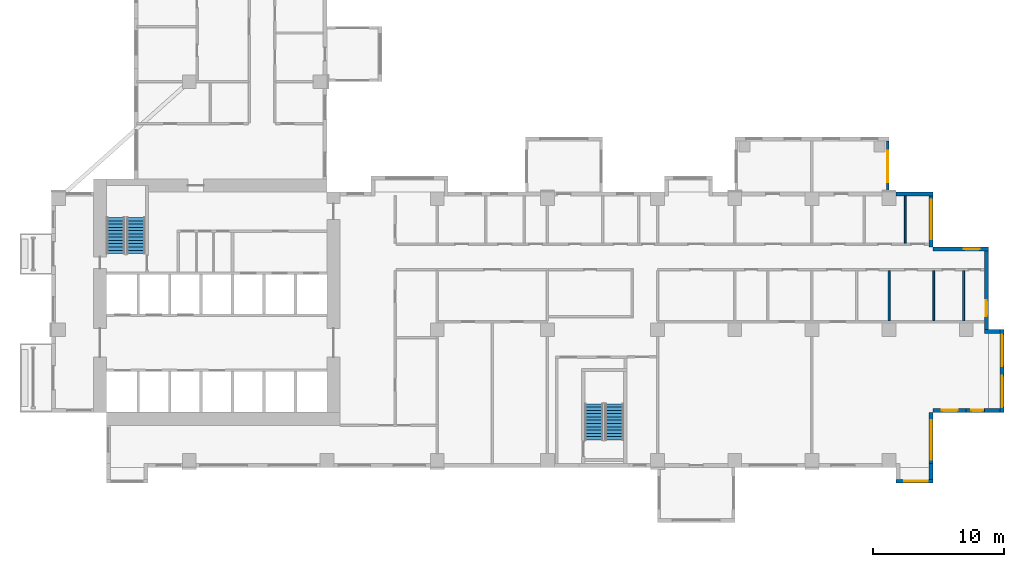
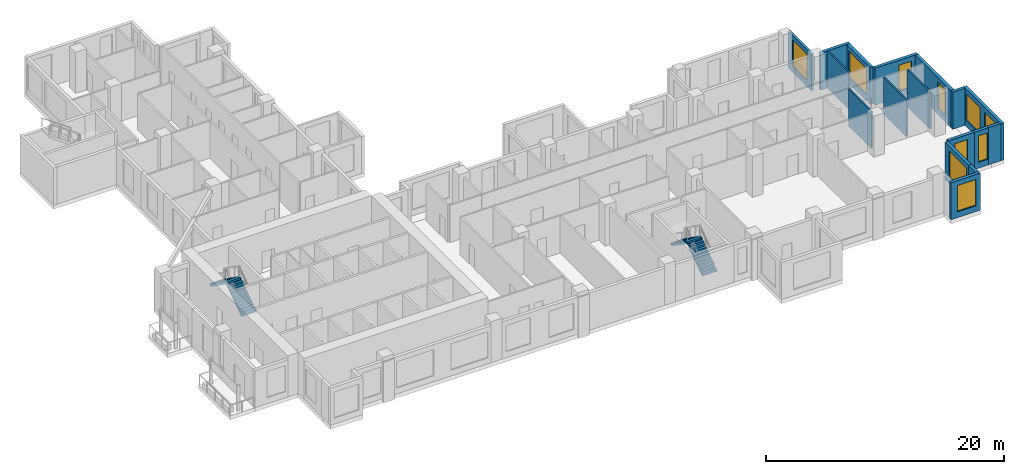
# One storey, part 9 of 15: 17 walls, 10 windows, 4 stair flights, 10 openings, 2 elements without a shape of their own.
"""IFC4 building model written with IfcOpenShell, lengths in metres."""

from ifc_helpers import new_model, si_unit, direction, frame, frame_2d, origin, place, context, subcontext, project, spatial, polyline, rectangle, outline, extrude, source, transform, mapped, material, layer, layer_set, type_object, element, fill, aggregate, save


model = new_model("IFC4")

# Units and contexts
model_context = context("Model", 3, precision=1e-05, world=origin(), true_north=direction((0.0, 1.0)))
body_context = subcontext(model_context, "Body", "Model", "MODEL_VIEW")
ifc_project = project(units=[si_unit("LENGTHUNIT", "METRE"), si_unit("AREAUNIT", "SQUARE_METRE"), si_unit("VOLUMEUNIT", "CUBIC_METRE"), si_unit("PLANEANGLEUNIT", "RADIAN"), si_unit("MASSUNIT", "GRAM", prefix="KILO")], contexts=[model_context])

# Site, building, storey
site_placement = place(None, origin())
site = spatial("IfcSite", under=ifc_project, at=site_placement, CompositionType="ELEMENT")
building_placement = place(site_placement, origin())
building = spatial("IfcBuilding", under=site, at=building_placement, Name="Aurelian Terraces", CompositionType="ELEMENT")
storey_placement = place(building_placement, frame((0.0, 0.0, 120.3)))
storey = spatial("IfcBuildingStorey", under=building, at=storey_placement, Name="L26", CompositionType="ELEMENT", Elevation=120.3)

# Wall, opening, window
ifc_material_1 = material(Name="Terracotta rainscreen cladding", Category="masonry")
ifc_layer_1 = layer(ifc_material_1, 0.3)
ifc_layer_set_1 = layer_set([ifc_layer_1], Name="EW-300")
wall_type_1 = type_object("IfcWallType", Name="EW-300", PredefinedType="STANDARD", material=ifc_layer_set_1)
shared_shape_1 = source(origin(), body_context, "Body", "SweptSolid", [
    extrude(rectangle(XDim=4.2, YDim=0.3, at=frame_2d((2.1, 0.0))), origin(), (0.0, 0.0, 1.0), 3.8),
])
wall_1_placement = place(storey_placement, frame((67.05, 0.0, 0.0), z_axis=(0.0, 0.0, 1.0), x_axis=(0.0, 1.0, 0.0)))
wall_1 = element("IfcWall", 1, at=wall_1_placement, inside=storey, type_object=wall_type_1, Name="External wall L26 F02.11", PredefinedType="STANDARD", context=body_context, shape_type="MappedRepresentation", body=[
    mapped(shared_shape_1, transform((0.0, 0.0, 0.0), scale=1.0)),
])
shared_shape_2 = source(origin(), body_context, "Body", "SweptSolid", [
    extrude(rectangle(XDim=3.0, YDim=2.7, at=frame_2d((1.5, 1.35))), frame((0.0, 0.16, 0.0), z_axis=(0.0, -1.0, 0.0), x_axis=(1.0, 0.0, 0.0)), (0.0, 0.0, 1.0), 0.32),
])
opening_1_placement = place(wall_1_placement, frame((0.6, 0.0, 0.6)))
opening_1 = element("IfcOpeningElement", 2, at=opening_1_placement, cuts=wall_1, Name="Opening W3027", PredefinedType="OPENING", context=body_context, shape_type="MappedRepresentation", body=[
    mapped(shared_shape_2, transform((0.0, 0.0, 0.0), scale=1.0)),
])
ifc_material_2 = material(Name="Clear glazing", Category="glass")
window_type_1 = type_object("IfcWindowType", Name="W-3000x2700", PartitioningType="SINGLE_PANEL", PredefinedType="WINDOW", material=ifc_material_2)
shared_shape_3 = source(origin(), body_context, "Body", "SweptSolid", [
    extrude(rectangle(XDim=3.0, YDim=2.7, at=frame_2d((1.5, 1.35))), frame((0.0, 0.03, 0.0), z_axis=(0.0, -1.0, 0.0), x_axis=(1.0, 0.0, 0.0)), (0.0, 0.0, 1.0), 0.06),
])
window_1_placement = place(opening_1_placement, origin())
window_1 = element("IfcWindow", 3, at=window_1_placement, inside=storey, type_object=window_type_1, Name="Window L26 L26-F02-11-0", OverallHeight=2.7, OverallWidth=3.0, PartitioningType="SINGLE_PANEL", PredefinedType="WINDOW", context=body_context, shape_type="MappedRepresentation", body=[
    mapped(shared_shape_3, transform((0.0, 0.0, 0.0), scale=1.0)),
])
fill(opening_1, window_1)

wall_2_placement = place(storey_placement, frame((71.4, 16.65, 0.0), z_axis=(0.0, 0.0, 1.0), x_axis=(-1.0, 0.0, 0.0)))
wall_2 = element("IfcWall", 4, at=wall_2_placement, inside=storey, type_object=wall_type_1, Name="External wall L26 F05.16", PredefinedType="STANDARD", context=body_context, shape_type="MappedRepresentation", body=[
    mapped(shared_shape_1, transform((0.0, 0.0, 0.0), scale=1.0)),
])
shared_shape_4 = source(origin(), body_context, "Body", "SweptSolid", [
    extrude(rectangle(XDim=1.2, YDim=2.7, at=frame_2d((0.6, 1.35))), frame((0.0, 0.16, 0.0), z_axis=(0.0, -1.0, 0.0), x_axis=(1.0, 0.0, 0.0)), (0.0, 0.0, 1.0), 0.32),
])
opening_2_placement = place(wall_2_placement, frame((0.66, 0.0, 0.6)))
opening_2 = element("IfcOpeningElement", 5, at=opening_2_placement, cuts=wall_2, Name="Opening W1227", PredefinedType="OPENING", context=body_context, shape_type="MappedRepresentation", body=[
    mapped(shared_shape_4, transform((0.0, 0.0, 0.0), scale=1.0)),
])
window_type_2 = type_object("IfcWindowType", Name="W-1200x2700", PartitioningType="SINGLE_PANEL", PredefinedType="WINDOW", material=ifc_material_2)
shared_shape_5 = source(origin(), body_context, "Body", "SweptSolid", [
    extrude(rectangle(XDim=1.2, YDim=2.7, at=frame_2d((0.6, 1.35))), frame((0.0, 0.03, 0.0), z_axis=(0.0, -1.0, 0.0), x_axis=(1.0, 0.0, 0.0)), (0.0, 0.0, 1.0), 0.06),
])
window_2_placement = place(opening_2_placement, origin())
window_2 = element("IfcWindow", 6, at=window_2_placement, inside=storey, type_object=window_type_2, Name="Window L26 L26-F05-16-0", OverallHeight=2.7, OverallWidth=1.2, PartitioningType="SINGLE_PANEL", PredefinedType="WINDOW", context=body_context, shape_type="MappedRepresentation", body=[
    mapped(shared_shape_5, transform((0.0, 0.0, 0.0), scale=1.0)),
])
fill(opening_2, window_2)

wall_3_placement = place(storey_placement, frame((67.05, 16.8, 0.0), z_axis=(0.0, 0.0, 1.0), x_axis=(0.0, 1.0, 0.0)))
wall_3 = element("IfcWall", 7, at=wall_3_placement, inside=storey, type_object=wall_type_1, Name="External wall L26 F06.17", PredefinedType="STANDARD", context=body_context, shape_type="MappedRepresentation", body=[
    mapped(shared_shape_1, transform((0.0, 0.0, 0.0), scale=1.0)),
])
opening_3_placement = place(wall_3_placement, frame((0.6, 0.0, 0.6)))
opening_3 = element("IfcOpeningElement", 8, at=opening_3_placement, cuts=wall_3, Name="Opening W3027", PredefinedType="OPENING", context=body_context, shape_type="MappedRepresentation", body=[
    mapped(shared_shape_2, transform((0.0, 0.0, 0.0), scale=1.0)),
])
window_3_placement = place(opening_3_placement, origin())
window_3 = element("IfcWindow", 9, at=window_3_placement, inside=storey, type_object=window_type_1, Name="Window L26 L26-F06-17-0", OverallHeight=2.7, OverallWidth=3.0, PartitioningType="SINGLE_PANEL", PredefinedType="WINDOW", context=body_context, shape_type="MappedRepresentation", body=[
    mapped(shared_shape_3, transform((0.0, 0.0, 0.0), scale=1.0)),
])
fill(opening_3, window_3)

# Walls
shared_shape_6 = source(origin(), body_context, "Body", "SweptSolid", [
    extrude(rectangle(XDim=1.2, YDim=0.3, at=frame_2d((0.6, 0.0))), origin(), (0.0, 0.0, 1.0), 3.8),
])
for number, where, z_axis, x_axis, name in (
    (10, (67.05, 0.3, 0.0), (0.0, 0.0, 1.0), (0.0, -1.0, 0.0), "Bay return L26 F01.10.2"),
    (11, (71.1, 4.35, 0.0), (0.0, 0.0, 1.0), (1.0, 0.0, 0.0), "Bay return L26 F04.14.1"),
    (12, (71.1, 10.35, 0.0), (0.0, 0.0, 1.0), (1.0, 0.0, 0.0), "Bay return L26 F04.14.2"),
):
    element("IfcWall", number, at=place(storey_placement, frame(where, z_axis=z_axis, x_axis=x_axis)), inside=storey, type_object=wall_type_1, Name=name, PredefinedType="STANDARD", context=body_context, shape_type="MappedRepresentation", body=[
        mapped(shared_shape_6, transform((0.0, 0.0, 0.0), scale=1.0)),
    ])

# Wall, opening, window
shared_shape_7 = source(origin(), body_context, "Body", "SweptSolid", [
    extrude(rectangle(XDim=2.52, YDim=0.3, at=frame_2d((1.26, 0.0))), origin(), (0.0, 0.0, 1.0), 3.8),
])
wall_4_placement = place(storey_placement, frame((67.2, 4.35, 0.0), z_axis=(0.0, 0.0, 1.0), x_axis=(1.0, 0.0, 0.0)))
wall_4 = element("IfcWall", 13, at=wall_4_placement, inside=storey, type_object=wall_type_1, Name="External wall L26 F03.12", PredefinedType="STANDARD", context=body_context, shape_type="MappedRepresentation", body=[
    mapped(shared_shape_7, transform((0.0, 0.0, 0.0), scale=1.0)),
])
opening_4_placement = place(wall_4_placement, frame((0.66, 0.0, 0.6)))
opening_4 = element("IfcOpeningElement", 14, at=opening_4_placement, cuts=wall_4, Name="Opening W1227", PredefinedType="OPENING", context=body_context, shape_type="MappedRepresentation", body=[
    mapped(shared_shape_4, transform((0.0, 0.0, 0.0), scale=1.0)),
])
window_4_placement = place(opening_4_placement, origin())
window_4 = element("IfcWindow", 15, at=window_4_placement, inside=storey, type_object=window_type_2, Name="Window L26 L26-F03-12-0", OverallHeight=2.7, OverallWidth=1.2, PartitioningType="SINGLE_PANEL", PredefinedType="WINDOW", context=body_context, shape_type="MappedRepresentation", body=[
    mapped(shared_shape_5, transform((0.0, 0.0, 0.0), scale=1.0)),
])
fill(opening_4, window_4)

shared_shape_8 = source(origin(), body_context, "Body", "SweptSolid", [
    extrude(rectangle(XDim=1.68, YDim=0.3, at=frame_2d((0.84, 0.0))), origin(), (0.0, 0.0, 1.0), 3.8),
])
wall_5_placement = place(storey_placement, frame((69.72, 4.35, 0.0), z_axis=(0.0, 0.0, 1.0), x_axis=(1.0, 0.0, 0.0)))
wall_5 = element("IfcWall", 16, at=wall_5_placement, inside=storey, type_object=wall_type_1, Name="External wall L26 F03.13", PredefinedType="STANDARD", context=body_context, shape_type="MappedRepresentation", body=[
    mapped(shared_shape_8, transform((0.0, 0.0, 0.0), scale=1.0)),
])
shared_shape_9 = source(origin(), body_context, "Body", "SweptSolid", [
    extrude(rectangle(XDim=0.9, YDim=2.7, at=frame_2d((0.45, 1.35))), frame((0.0, 0.16, 0.0), z_axis=(0.0, -1.0, 0.0), x_axis=(1.0, 0.0, 0.0)), (0.0, 0.0, 1.0), 0.32),
])
opening_5_placement = place(wall_5_placement, frame((0.39, 0.0, 0.6)))
opening_5 = element("IfcOpeningElement", 17, at=opening_5_placement, cuts=wall_5, Name="Opening W0927", PredefinedType="OPENING", context=body_context, shape_type="MappedRepresentation", body=[
    mapped(shared_shape_9, transform((0.0, 0.0, 0.0), scale=1.0)),
])
window_type_3 = type_object("IfcWindowType", Name="W-900x2700", PartitioningType="SINGLE_PANEL", PredefinedType="WINDOW", material=ifc_material_2)
shared_shape_10 = source(origin(), body_context, "Body", "SweptSolid", [
    extrude(rectangle(XDim=0.9, YDim=2.7, at=frame_2d((0.45, 1.35))), frame((0.0, 0.03, 0.0), z_axis=(0.0, -1.0, 0.0), x_axis=(1.0, 0.0, 0.0)), (0.0, 0.0, 1.0), 0.06),
])
window_5_placement = place(opening_5_placement, origin())
window_5 = element("IfcWindow", 18, at=window_5_placement, inside=storey, type_object=window_type_3, Name="Window L26 L26-F03-13-P0", OverallHeight=2.7, OverallWidth=0.9, PartitioningType="SINGLE_PANEL", PredefinedType="WINDOW", context=body_context, shape_type="MappedRepresentation", body=[
    mapped(shared_shape_10, transform((0.0, 0.0, 0.0), scale=1.0)),
])
fill(opening_5, window_5)

# Wall, openings, windows
shared_shape_11 = source(origin(), body_context, "Body", "SweptSolid", [
    extrude(rectangle(XDim=6.3, YDim=0.3, at=frame_2d((3.15, 0.0))), origin(), (0.0, 0.0, 1.0), 3.8),
])
wall_6_placement = place(storey_placement, frame((72.45, 4.2, 0.0), z_axis=(0.0, 0.0, 1.0), x_axis=(0.0, 1.0, 0.0)))
wall_6 = element("IfcWall", 19, at=wall_6_placement, inside=storey, type_object=wall_type_1, Name="Bay wall L26 F04.14", PredefinedType="STANDARD", context=body_context, shape_type="MappedRepresentation", body=[
    mapped(shared_shape_11, transform((0.0, 0.0, 0.0), scale=1.0)),
])
shared_shape_12 = source(origin(), body_context, "Body", "SweptSolid", [
    extrude(rectangle(XDim=2.4, YDim=2.7, at=frame_2d((1.2, 1.35))), frame((0.0, 0.16, 0.0), z_axis=(0.0, -1.0, 0.0), x_axis=(1.0, 0.0, 0.0)), (0.0, 0.0, 1.0), 0.32),
])
opening_6_placement = place(wall_6_placement, frame((0.375, 0.0, 0.6)))
opening_6 = element("IfcOpeningElement", 20, at=opening_6_placement, cuts=wall_6, Name="Opening W2427", PredefinedType="OPENING", context=body_context, shape_type="MappedRepresentation", body=[
    mapped(shared_shape_12, transform((0.0, 0.0, 0.0), scale=1.0)),
])
opening_7_placement = place(wall_6_placement, frame((3.525, 0.0, 0.6)))
opening_7 = element("IfcOpeningElement", 21, at=opening_7_placement, cuts=wall_6, Name="Opening W2427", PredefinedType="OPENING", context=body_context, shape_type="MappedRepresentation", body=[
    mapped(shared_shape_12, transform((0.0, 0.0, 0.0), scale=1.0)),
])
window_type_4 = type_object("IfcWindowType", Name="W-2400x2700", PartitioningType="SINGLE_PANEL", PredefinedType="WINDOW", material=ifc_material_2)
shared_shape_13 = source(origin(), body_context, "Body", "SweptSolid", [
    extrude(rectangle(XDim=2.4, YDim=2.7, at=frame_2d((1.2, 1.35))), frame((0.0, 0.03, 0.0), z_axis=(0.0, -1.0, 0.0), x_axis=(1.0, 0.0, 0.0)), (0.0, 0.0, 1.0), 0.06),
])
window_6_placement = place(opening_6_placement, origin())
window_6 = element("IfcWindow", 22, at=window_6_placement, inside=storey, type_object=window_type_4, Name="Window L26 L26-F04-14-0", OverallHeight=2.7, OverallWidth=2.4, PartitioningType="SINGLE_PANEL", PredefinedType="WINDOW", context=body_context, shape_type="MappedRepresentation", body=[
    mapped(shared_shape_13, transform((0.0, 0.0, 0.0), scale=1.0)),
])
fill(opening_6, window_6)
window_7_placement = place(opening_7_placement, origin())
window_7 = element("IfcWindow", 23, at=window_7_placement, inside=storey, type_object=window_type_4, Name="Window L26 L26-F04-14-1", OverallHeight=2.7, OverallWidth=2.4, PartitioningType="SINGLE_PANEL", PredefinedType="WINDOW", context=body_context, shape_type="MappedRepresentation", body=[
    mapped(shared_shape_13, transform((0.0, 0.0, 0.0), scale=1.0)),
])
fill(opening_7, window_7)

# Wall, opening, window
wall_7_placement = place(storey_placement, frame((71.25, 10.5, 0.0), z_axis=(0.0, 0.0, 1.0), x_axis=(0.0, 1.0, 0.0)))
wall_7 = element("IfcWall", 24, at=wall_7_placement, inside=storey, type_object=wall_type_1, Name="External wall L26 F04.15", PredefinedType="STANDARD", context=body_context, shape_type="MappedRepresentation", body=[
    mapped(shared_shape_11, transform((0.0, 0.0, 0.0), scale=1.0)),
])
opening_8_placement = place(wall_7_placement, frame((1.025, 0.0, 0.6)))
opening_8 = element("IfcOpeningElement", 25, at=opening_8_placement, cuts=wall_7, Name="Opening W1227", PredefinedType="OPENING", context=body_context, shape_type="MappedRepresentation", body=[
    mapped(shared_shape_4, transform((0.0, 0.0, 0.0), scale=1.0)),
])
window_8_placement = place(opening_8_placement, origin())
window_8 = element("IfcWindow", 26, at=window_8_placement, inside=storey, type_object=window_type_2, Name="Window L26 L26-F04-15-0", OverallHeight=2.7, OverallWidth=1.2, PartitioningType="SINGLE_PANEL", PredefinedType="WINDOW", context=body_context, shape_type="MappedRepresentation", body=[
    mapped(shared_shape_5, transform((0.0, 0.0, 0.0), scale=1.0)),
])
fill(opening_8, window_8)

ifc_material_3 = material(Name="Concrete fc' 40 MPa", Category="concrete")
ifc_layer_2 = layer(ifc_material_3, 0.2)
ifc_layer_set_2 = layer_set([ifc_layer_2], Name="BOX BEARING WALL 200")
wall_type_2 = type_object("IfcWallType", Name="BOX BEARING WALL 200", PredefinedType="SOLIDWALL", material=ifc_layer_set_2)
shared_shape_14 = source(origin(), body_context, "Body", "SweptSolid", [
    extrude(rectangle(XDim=3.9, YDim=0.2, at=frame_2d((1.95, 0.0))), origin(), (0.0, 0.0, 1.0), 3.79),
])
wall_8_placement = place(storey_placement, frame((63.74, 21.0, 0.0), z_axis=(0.0, 0.0, 1.0), x_axis=(0.0, 1.0, 0.0)))
wall_8 = element("IfcWall", 27, at=wall_8_placement, inside=storey, type_object=wall_type_2, Name="Box return L26 K02.1", PredefinedType="SOLIDWALL", context=body_context, shape_type="MappedRepresentation", body=[
    mapped(shared_shape_14, transform((0.0, 0.0, 0.0), scale=1.0)),
])
shared_shape_15 = source(origin(), body_context, "Body", "SweptSolid", [
    extrude(rectangle(XDim=2.4, YDim=2.7, at=frame_2d((1.2, 1.35))), frame((0.0, 0.11, 0.0), z_axis=(0.0, -1.0, 0.0), x_axis=(1.0, 0.0, 0.0)), (0.0, 0.0, 1.0), 0.22),
])
opening_9_placement = place(wall_8_placement, frame((0.75, 0.0, 0.6)))
opening_9 = element("IfcOpeningElement", 28, at=opening_9_placement, cuts=wall_8, Name="Opening W2427", PredefinedType="OPENING", context=body_context, shape_type="MappedRepresentation", body=[
    mapped(shared_shape_15, transform((0.0, 0.0, 0.0), scale=1.0)),
])
window_9_placement = place(opening_9_placement, origin())
window_9 = element("IfcWindow", 29, at=window_9_placement, inside=storey, type_object=window_type_4, Name="Window L26 K02-S1", OverallHeight=2.7, OverallWidth=2.4, PartitioningType="SINGLE_PANEL", PredefinedType="WINDOW", context=body_context, shape_type="MappedRepresentation", body=[
    mapped(shared_shape_13, transform((0.0, 0.0, 0.0), scale=1.0)),
])
fill(opening_9, window_9)

shared_shape_16 = source(origin(), body_context, "Body", "SweptSolid", [
    extrude(rectangle(XDim=2.835, YDim=0.3, at=frame_2d((1.4175, 0.0))), origin(), (0.0, 0.0, 1.0), 3.8),
])
wall_9_placement = place(storey_placement, frame((64.365, -1.05, 0.0), z_axis=(0.0, 0.0, 1.0), x_axis=(1.0, 0.0, 0.0)))
wall_9 = element("IfcWall", 30, at=wall_9_placement, inside=storey, type_object=wall_type_1, Name="Bay wall L26 F01.10", PredefinedType="STANDARD", context=body_context, shape_type="MappedRepresentation", body=[
    mapped(shared_shape_16, transform((0.0, 0.0, 0.0), scale=1.0)),
])
shared_shape_17 = source(origin(), body_context, "Body", "SweptSolid", [
    extrude(rectangle(XDim=1.8, YDim=2.7, at=frame_2d((0.9, 1.35))), frame((0.0, 0.16, 0.0), z_axis=(0.0, -1.0, 0.0), x_axis=(1.0, 0.0, 0.0)), (0.0, 0.0, 1.0), 0.32),
])
opening_10_placement = place(wall_9_placement, frame((0.6175, 0.0, 0.6)))
opening_10 = element("IfcOpeningElement", 31, at=opening_10_placement, cuts=wall_9, Name="Opening W1827", PredefinedType="OPENING", context=body_context, shape_type="MappedRepresentation", body=[
    mapped(shared_shape_17, transform((0.0, 0.0, 0.0), scale=1.0)),
])
window_type_5 = type_object("IfcWindowType", Name="W-1800x2700", PartitioningType="SINGLE_PANEL", PredefinedType="WINDOW", material=ifc_material_2)
shared_shape_18 = source(origin(), body_context, "Body", "SweptSolid", [
    extrude(rectangle(XDim=1.8, YDim=2.7, at=frame_2d((0.9, 1.35))), frame((0.0, 0.03, 0.0), z_axis=(0.0, -1.0, 0.0), x_axis=(1.0, 0.0, 0.0)), (0.0, 0.0, 1.0), 0.06),
])
window_10_placement = place(opening_10_placement, origin())
window_10 = element("IfcWindow", 32, at=window_10_placement, inside=storey, type_object=window_type_5, Name="Window L26 L26-F01-10-0", OverallHeight=2.7, OverallWidth=1.8, PartitioningType="SINGLE_PANEL", PredefinedType="WINDOW", context=body_context, shape_type="MappedRepresentation", body=[
    mapped(shared_shape_18, transform((0.0, 0.0, 0.0), scale=1.0)),
])
fill(opening_10, window_10)

# Walls
wall_10_placement = place(storey_placement, frame((67.2, 20.85, 0.0), z_axis=(0.0, 0.0, 1.0), x_axis=(-1.0, 0.0, 0.0)))
element("IfcWall", 33, at=wall_10_placement, inside=storey, type_object=wall_type_1, Name="External wall L26 F07.18", PredefinedType="STANDARD", context=body_context, shape_type="MappedRepresentation", body=[
    mapped(shared_shape_16, transform((0.0, 0.0, 0.0), scale=1.0)),
])
ifc_material_4 = material(Name="Gypsum board on steel studs", Category="steel")
ifc_layer_3 = layer(ifc_material_4, 0.15)
ifc_layer_set_3 = layer_set([ifc_layer_3], Name="Partition 150")
wall_type_3 = type_object("IfcWallType", Name="Partition 150", PredefinedType="PARTITIONING", material=ifc_layer_set_3)
shared_shape_19 = source(origin(), body_context, "Body", "SweptSolid", [
    extrude(rectangle(XDim=3.6, YDim=0.15, at=frame_2d((1.8, 0.0))), origin(), (0.0, 0.0, 1.0), 3.8),
])
wall_11_placement = place(storey_placement, frame((65.0722, 20.7, 0.0), z_axis=(0.0, 0.0, 1.0), x_axis=(0.0, -1.0, 0.0)))
element("IfcWall", 34, at=wall_11_placement, inside=storey, type_object=wall_type_3, Name="Partition", PredefinedType="PARTITIONING", context=body_context, shape_type="MappedRepresentation", body=[
    mapped(shared_shape_19, transform((0.0, 0.0, 0.0), scale=1.0)),
])
shared_shape_20 = source(origin(), body_context, "Body", "SweptSolid", [
    extrude(rectangle(XDim=3.825, YDim=0.15, at=frame_2d((1.9125, 0.0))), origin(), (0.0, 0.0, 1.0), 3.8),
])
for number, where, z_axis, x_axis, name in (
    (35, (63.84, 11.175, 0.0), (0.0, 0.0, 1.0), (0.0, 1.0, 0.0), "Partition"),
    (36, (67.2444, 11.175, 0.0), (0.0, 0.0, 1.0), (0.0, 1.0, 0.0), "Partition"),
    (37, (69.5152, 11.175, 0.0), (0.0, 0.0, 1.0), (0.0, 1.0, 0.0), "Partition"),
):
    element("IfcWall", number, at=place(storey_placement, frame(where, z_axis=z_axis, x_axis=x_axis)), inside=storey, type_object=wall_type_3, Name=name, PredefinedType="PARTITIONING", context=body_context, shape_type="MappedRepresentation", body=[
        mapped(shared_shape_20, transform((0.0, 0.0, 0.0), scale=1.0)),
    ])

# Stair, stair flights
stair_type = type_object("IfcStairType", Name="Stair 1400", PredefinedType="HALF_TURN_STAIR", material=ifc_material_3)
stair_1_placement = place(storey_placement, origin())
stair_1 = element("IfcStair", 38, at=stair_1_placement, inside=storey, type_object=stair_type, Name="L26 S1", PredefinedType="HALF_TURN_STAIR")
stair_flight_type = type_object("IfcStairFlightType", Name="Stair flight 1400", PredefinedType="STRAIGHT", material=ifc_material_3)
shared_shape_21 = source(origin(), body_context, "Body", "SweptSolid", [
    extrude(outline(polyline([(0.0, 0.0), (0.0, 0.175), (0.25, 0.175), (0.25, 0.35), (0.5, 0.35), (0.5, 0.525), (0.75, 0.525), (0.75, 0.7), (1.0, 0.7), (1.0, 0.875), (1.25, 0.875), (1.25, 1.05), (1.5, 1.05), (1.5, 1.225), (1.75, 1.225), (1.75, 1.4), (2.0, 1.4), (2.0, 1.575), (2.25, 1.575), (2.25, 1.75), (2.5, 1.75), (2.5, 1.925), (2.75, 1.925), (2.75, 2.1), (2.75, 1.7419), (0.2616, 0.0), (0.0, 0.0)])), frame((0.0, 0.7, 0.0), z_axis=(0.0, -1.0, 0.0), x_axis=(1.0, 0.0, 0.0)), (0.0, 0.0, 1.0), 1.4),
])
stair_flight_1_placement = place(storey_placement, frame((6.45, 16.3, 2e-08), z_axis=(0.0, 0.0, 1.0), x_axis=(0.0, 1.0, 0.0)))
stair_flight_1 = element("IfcStairFlight", 39, at=stair_flight_1_placement, type_object=stair_flight_type, Name="S1 flight 1", NumberOfRisers=12, NumberOfTreads=11, PredefinedType="STRAIGHT", RiserHeight=0.175, TreadLength=0.25, context=body_context, shape_type="MappedRepresentation", body=[
    mapped(shared_shape_21, transform((0.0, 0.0, 0.0), scale=1.0)),
])
stair_flight_2_placement = place(storey_placement, frame((4.9, 19.05, 2.1000000200000084), z_axis=(0.0, 0.0, 1.0), x_axis=(0.0, -1.0, 0.0)))
stair_flight_2 = element("IfcStairFlight", 40, at=stair_flight_2_placement, type_object=stair_flight_type, Name="S1 flight 2", NumberOfRisers=12, NumberOfTreads=11, PredefinedType="STRAIGHT", RiserHeight=0.175, TreadLength=0.25, context=body_context, shape_type="MappedRepresentation", body=[
    mapped(shared_shape_21, transform((0.0, 0.0, 0.0), scale=1.0)),
])
aggregate(stair_1, [stair_flight_1, stair_flight_2])

stair_2_placement = place(storey_placement, origin())
stair_2 = element("IfcStair", 41, at=stair_2_placement, inside=storey, type_object=stair_type, Name="L26 S2", PredefinedType="HALF_TURN_STAIR")
stair_flight_3_placement = place(storey_placement, frame((42.9, 2.1, 2e-08), z_axis=(0.0, 0.0, 1.0), x_axis=(0.0, 1.0, 0.0)))
stair_flight_3 = element("IfcStairFlight", 42, at=stair_flight_3_placement, type_object=stair_flight_type, Name="S2 flight 1", NumberOfRisers=12, NumberOfTreads=11, PredefinedType="STRAIGHT", RiserHeight=0.175, TreadLength=0.25, context=body_context, shape_type="MappedRepresentation", body=[
    mapped(shared_shape_21, transform((0.0, 0.0, 0.0), scale=1.0)),
])
stair_flight_4_placement = place(storey_placement, frame((41.35, 4.85, 2.1000000200000084), z_axis=(0.0, 0.0, 1.0), x_axis=(0.0, -1.0, 0.0)))
stair_flight_4 = element("IfcStairFlight", 43, at=stair_flight_4_placement, type_object=stair_flight_type, Name="S2 flight 2", NumberOfRisers=12, NumberOfTreads=11, PredefinedType="STRAIGHT", RiserHeight=0.175, TreadLength=0.25, context=body_context, shape_type="MappedRepresentation", body=[
    mapped(shared_shape_21, transform((0.0, 0.0, 0.0), scale=1.0)),
])
aggregate(stair_2, [stair_flight_3, stair_flight_4])

save(model, "model.ifc")
